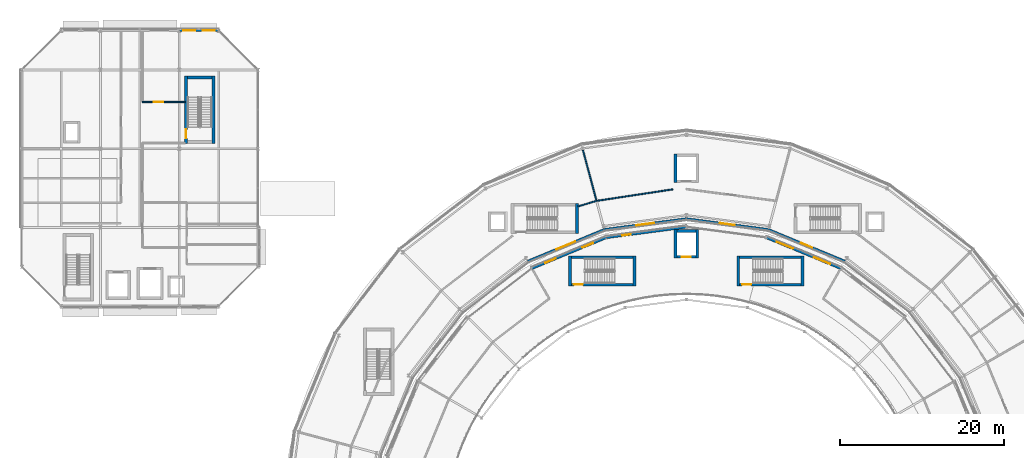
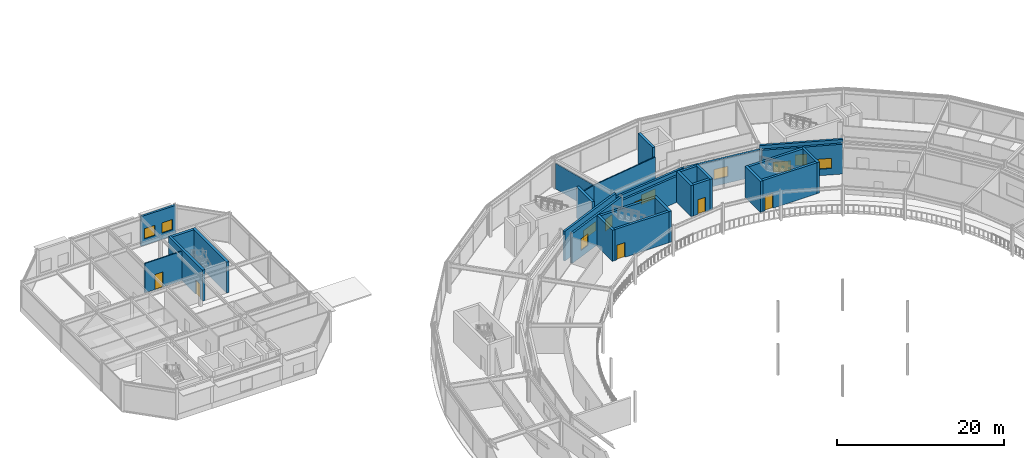
# One storey, part 105 of 133: 29 walls, 11 windows, 5 doors, 16 openings.
"""IFC4 building model written with IfcOpenShell, lengths in metres."""

from ifc_helpers import new_model, si_unit, direction, frame, frame_2d, origin, place, context, subcontext, project, spatial, rectangle, extrude, material, layer, layer_set, type_object, element, fill, save


model = new_model("IFC4")

# Units and contexts
model_context = context("Model", 3, precision=1e-05, world=origin(), true_north=direction((0.0, 1.0)))
body_context = subcontext(model_context, "Body", "Model", "MODEL_VIEW")
ifc_project = project(units=[si_unit("LENGTHUNIT", "METRE"), si_unit("AREAUNIT", "SQUARE_METRE"), si_unit("VOLUMEUNIT", "CUBIC_METRE"), si_unit("PLANEANGLEUNIT", "RADIAN"), si_unit("MASSUNIT", "GRAM", prefix="KILO")], contexts=[model_context])

# Site, building, storey
site_placement = place(None, origin())
site = spatial("IfcSite", under=ifc_project, at=site_placement, CompositionType="ELEMENT")
building_placement = place(site_placement, origin())
building = spatial("IfcBuilding", under=site, at=building_placement, Name="Almandine Court Research Institute", CompositionType="ELEMENT")
storey_placement = place(building_placement, frame((0.0, 0.0, 9.800048828125)))
storey = spatial("IfcBuildingStorey", under=building, at=storey_placement, Name="L02", CompositionType="ELEMENT", Elevation=9.800048828125)

# Wall, openings, windows
ifc_material_1 = material(Name="Insulated Ochre Terracotta Rainscreen Wall", Category="masonry")
ifc_layer_1 = layer(ifc_material_1, 0.2900390625)
ifc_layer_set_1 = layer_set([ifc_layer_1], Name="Insulated Ochre Terracotta Rainscreen Wall")
wall_type_1 = type_object("IfcWallType", Name="Wall-EXT-TERR-290", PredefinedType="SOLIDWALL", material=ifc_layer_set_1)
wall_1_placement = place(storey_placement, frame((25.2041015625, 117.60009765625, 0.0), z_axis=(0.0, 0.0, 1.0), x_axis=(1.0, 0.0, 0.0)))
wall_1 = element("IfcWall", 1, at=wall_1_placement, inside=storey, type_object=wall_type_1, Name="L02 Cleanroom North Wall 3", PredefinedType="SOLIDWALL", context=body_context, shape_type="SweptSolid", body=[
    extrude(rectangle(XDim=4.7919921875, YDim=0.2900390625, at=frame_2d((2.39599609375, 0.0))), origin(), (0.0, 0.0, 1.0), 4.369873046875),
])
opening_1_placement = place(wall_1_placement, frame((0.472900390625, 0.0, 0.949951171875)))
opening_1 = element("IfcOpeningElement", 2, at=opening_1_placement, cuts=wall_1, Name="Opening WN-28", PredefinedType="OPENING", context=body_context, shape_type="SweptSolid", body=[
    extrude(rectangle(XDim=1.449951171875, YDim=1.510009765625, at=frame_2d((0.72509765625, 0.7548828125))), frame((0.0, 0.155029296875, 0.0), z_axis=(0.0, -1.0, 0.0), x_axis=(1.0, 0.0, 0.0)), (0.0, 0.0, 1.0), 0.31005859375),
])
opening_2_placement = place(wall_1_placement, frame((2.868896484375, 0.0, 0.949951171875)))
opening_2 = element("IfcOpeningElement", 3, at=opening_2_placement, cuts=wall_1, Name="Opening WN-28", PredefinedType="OPENING", context=body_context, shape_type="SweptSolid", body=[
    extrude(rectangle(XDim=1.449951171875, YDim=1.510009765625, at=frame_2d((0.72509765625, 0.7548828125))), frame((0.0, 0.155029296875, 0.0), z_axis=(0.0, -1.0, 0.0), x_axis=(1.0, 0.0, 0.0)), (0.0, 0.0, 1.0), 0.31005859375),
])
ifc_material_2 = material(Name="Thermally Broken Low-E Double-Glazed Window", Category="glass")
window_type_1 = type_object("IfcWindowType", Name="Win-WN-28-1450x1510", PartitioningType="SINGLE_PANEL", PredefinedType="WINDOW", material=ifc_material_2)
window_1_placement = place(opening_1_placement, origin())
window_1 = element("IfcWindow", 4, at=window_1_placement, inside=storey, type_object=window_type_1, Name="L02 Modular Recessed Low-E Window 43", OverallHeight=1.510009765625, OverallWidth=1.449951171875, PartitioningType="SINGLE_PANEL", PredefinedType="WINDOW", context=body_context, shape_type="SweptSolid", body=[
    extrude(rectangle(XDim=1.449951171875, YDim=1.510009765625, at=frame_2d((0.72509765625, 0.7548828125))), frame((0.0, 0.030029296875, 0.0), z_axis=(0.0, -1.0, 0.0), x_axis=(1.0, 0.0, 0.0)), (0.0, 0.0, 1.0), 0.06005859375),
])
fill(opening_1, window_1)
window_2_placement = place(opening_2_placement, origin())
window_2 = element("IfcWindow", 5, at=window_2_placement, inside=storey, type_object=window_type_1, Name="L02 Modular Recessed Low-E Window 44", OverallHeight=1.510009765625, OverallWidth=1.449951171875, PartitioningType="SINGLE_PANEL", PredefinedType="WINDOW", context=body_context, shape_type="SweptSolid", body=[
    extrude(rectangle(XDim=1.449951171875, YDim=1.510009765625, at=frame_2d((0.72509765625, 0.7548828125))), frame((0.0, 0.030029296875, 0.0), z_axis=(0.0, -1.0, 0.0), x_axis=(1.0, 0.0, 0.0)), (0.0, 0.0, 1.0), 0.06005859375),
])
fill(opening_2, window_2)

# Wall, opening, window
wall_2_placement = place(storey_placement, frame((106.324951171875, 89.48291015625, 0.0), z_axis=(0.0, 0.0, 1.0), x_axis=(-0.92385889973, 0.382733240508, 0.0)))
wall_2 = element("IfcWall", 6, at=wall_2_placement, inside=storey, type_object=wall_type_1, Name="L02 Drum Inner Gallery Wall 04", PredefinedType="SOLIDWALL", context=body_context, shape_type="SweptSolid", body=[
    extrude(rectangle(XDim=10.08056640625, YDim=0.2900390625, at=frame_2d((5.040283203125, 0.0))), origin(), (0.0, 0.0, 1.0), 4.369873046875),
])
opening_3_placement = place(wall_2_placement, frame((4.294921875, 0.0, 0.949951171875)))
opening_3 = element("IfcOpeningElement", 7, at=opening_3_placement, cuts=wall_2, Name="Opening WN-38", PredefinedType="OPENING", context=body_context, shape_type="SweptSolid", body=[
    extrude(rectangle(XDim=1.489990234375, YDim=1.590087890625, at=frame_2d((0.7451171875, 0.794921875))), frame((0.0, 0.155029296875, 0.0), z_axis=(0.0, -1.0, 0.0), x_axis=(1.0, 0.0, 0.0)), (0.0, 0.0, 1.0), 0.31005859375),
])
window_type_2 = type_object("IfcWindowType", Name="Win-WN-38-1490x1590", PartitioningType="SINGLE_PANEL", PredefinedType="WINDOW", material=ifc_material_2)
window_3_placement = place(opening_3_placement, origin())
window_3 = element("IfcWindow", 8, at=window_3_placement, inside=storey, type_object=window_type_2, Name="L02 Modular Recessed Low-E Window 264", OverallHeight=1.590087890625, OverallWidth=1.489990234375, PartitioningType="SINGLE_PANEL", PredefinedType="WINDOW", context=body_context, shape_type="SweptSolid", body=[
    extrude(rectangle(XDim=1.489990234375, YDim=1.590087890625, at=frame_2d((0.7451171875, 0.794921875))), frame((0.0, 0.030029296875, 0.0), z_axis=(0.0, -1.0, 0.0), x_axis=(1.0, 0.0, 0.0)), (0.0, 0.0, 1.0), 0.06005859375),
])
fill(opening_3, window_3)

wall_3_placement = place(storey_placement, frame((97.0, 93.343994140625, 0.0), z_axis=(0.0, 0.0, 1.0), x_axis=(-0.991454872597, 0.130450126879, 0.0)))
wall_3 = element("IfcWall", 9, at=wall_3_placement, inside=storey, type_object=wall_type_1, Name="L02 Drum Inner Gallery Wall 05", PredefinedType="SOLIDWALL", context=body_context, shape_type="SweptSolid", body=[
    extrude(rectangle(XDim=10.080078125, YDim=0.2900390625, at=frame_2d((5.0400390625, 0.0))), origin(), (0.0, 0.0, 1.0), 3.73291015625),
])
opening_4_placement = place(wall_3_placement, frame((4.1298828125, 0.0, 0.949951171875)))
opening_4 = element("IfcOpeningElement", 10, at=opening_4_placement, cuts=wall_3, Name="Opening WN-39", PredefinedType="OPENING", context=body_context, shape_type="SweptSolid", body=[
    extrude(rectangle(XDim=1.820068359375, YDim=1.510009765625, at=frame_2d((0.91015625, 0.7548828125))), frame((0.0, 0.155029296875, 0.0), z_axis=(0.0, -1.0, 0.0), x_axis=(1.0, 0.0, 0.0)), (0.0, 0.0, 1.0), 0.31005859375),
])
window_type_3 = type_object("IfcWindowType", Name="Win-WN-39-1820x1510", PartitioningType="SINGLE_PANEL", PredefinedType="WINDOW", material=ifc_material_2)
window_4_placement = place(opening_4_placement, origin())
window_4 = element("IfcWindow", 11, at=window_4_placement, inside=storey, type_object=window_type_3, Name="L02 Modular Recessed Low-E Window 265", OverallHeight=1.510009765625, OverallWidth=1.820068359375, PartitioningType="SINGLE_PANEL", PredefinedType="WINDOW", context=body_context, shape_type="SweptSolid", body=[
    extrude(rectangle(XDim=1.820068359375, YDim=1.510009765625, at=frame_2d((0.91015625, 0.7548828125))), frame((0.0, 0.030029296875, 0.0), z_axis=(0.0, -1.0, 0.0), x_axis=(1.0, 0.0, 0.0)), (0.0, 0.0, 1.0), 0.06005859375),
])
fill(opening_4, window_4)

wall_4_placement = place(storey_placement, frame((86.993896484375, 94.658935546875, 0.0), z_axis=(0.0, 0.0, 1.0), x_axis=(-0.991454872597, -0.130450126879, 0.0)))
wall_4 = element("IfcWall", 12, at=wall_4_placement, inside=storey, type_object=wall_type_1, Name="L02 Drum Inner Gallery Wall 06", PredefinedType="SOLIDWALL", context=body_context, shape_type="SweptSolid", body=[
    extrude(rectangle(XDim=10.080078125, YDim=0.2900390625, at=frame_2d((5.0400390625, 0.0))), origin(), (0.0, 0.0, 1.0), 3.73291015625),
])
opening_5_placement = place(wall_4_placement, frame((3.965087890625, 0.0, 0.949951171875)))
opening_5 = element("IfcOpeningElement", 13, at=opening_5_placement, cuts=wall_4, Name="Opening WN-120", PredefinedType="OPENING", context=body_context, shape_type="SweptSolid", body=[
    extrude(rectangle(XDim=2.14990234375, YDim=1.429931640625, at=frame_2d((1.074951171875, 0.71484375))), frame((0.0, 0.155029296875, 0.0), z_axis=(0.0, -1.0, 0.0), x_axis=(1.0, 0.0, 0.0)), (0.0, 0.0, 1.0), 0.31005859375),
])
window_type_4 = type_object("IfcWindowType", Name="Win-WN-120-2150x1430", PartitioningType="SINGLE_PANEL", PredefinedType="WINDOW", material=ifc_material_2)
window_5_placement = place(opening_5_placement, origin())
window_5 = element("IfcWindow", 14, at=window_5_placement, inside=storey, type_object=window_type_4, Name="L02 Modular Recessed Low-E Window 266", OverallHeight=1.429931640625, OverallWidth=2.14990234375, PartitioningType="SINGLE_PANEL", PredefinedType="WINDOW", context=body_context, shape_type="SweptSolid", body=[
    extrude(rectangle(XDim=2.14990234375, YDim=1.429931640625, at=frame_2d((1.074951171875, 0.71484375))), frame((0.0, 0.030029296875, 0.0), z_axis=(0.0, -1.0, 0.0), x_axis=(1.0, 0.0, 0.0)), (0.0, 0.0, 1.0), 0.06005859375),
])
fill(opening_5, window_5)

wall_5_placement = place(storey_placement, frame((76.988037109375, 93.341064453125, 0.0), z_axis=(0.0, 0.0, 1.0), x_axis=(-0.92385889973, -0.382733240508, 0.0)))
wall_5 = element("IfcWall", 15, at=wall_5_placement, inside=storey, type_object=wall_type_1, Name="L02 Drum Inner Gallery Wall 07", PredefinedType="SOLIDWALL", context=body_context, shape_type="SweptSolid", body=[
    extrude(rectangle(XDim=10.08056640625, YDim=0.2900390625, at=frame_2d((5.040283203125, 0.0))), origin(), (0.0, 0.0, 1.0), 4.369873046875),
])
opening_6_placement = place(wall_5_placement, frame((3.800048828125, 0.0, 0.949951171875)))
opening_6 = element("IfcOpeningElement", 16, at=opening_6_placement, cuts=wall_5, Name="Opening WN-109", PredefinedType="OPENING", context=body_context, shape_type="SweptSolid", body=[
    extrude(rectangle(XDim=2.47998046875, YDim=1.35009765625, at=frame_2d((1.239990234375, 0.675048828125))), frame((0.0, 0.155029296875, 0.0), z_axis=(0.0, -1.0, 0.0), x_axis=(1.0, 0.0, 0.0)), (0.0, 0.0, 1.0), 0.31005859375),
])
window_type_5 = type_object("IfcWindowType", Name="Win-WN-109-2480x1350", PartitioningType="SINGLE_PANEL", PredefinedType="WINDOW", material=ifc_material_2)
window_6_placement = place(opening_6_placement, origin())
window_6 = element("IfcWindow", 17, at=window_6_placement, inside=storey, type_object=window_type_5, Name="L02 Modular Recessed Low-E Window 267", OverallHeight=1.35009765625, OverallWidth=2.47998046875, PartitioningType="SINGLE_PANEL", PredefinedType="WINDOW", context=body_context, shape_type="SweptSolid", body=[
    extrude(rectangle(XDim=2.47998046875, YDim=1.35009765625, at=frame_2d((1.239990234375, 0.675048828125))), frame((0.0, 0.030029296875, 0.0), z_axis=(0.0, -1.0, 0.0), x_axis=(1.0, 0.0, 0.0)), (0.0, 0.0, 1.0), 0.06005859375),
])
fill(opening_6, window_6)

# Wall, openings, windows
wall_6_placement = place(storey_placement, frame((96.748046875, 92.365966796875, 0.0), z_axis=(0.0, 0.0, 1.0), x_axis=(0.923848052238, -0.382759423628, 0.0)))
wall_6 = element("IfcWall", 18, at=wall_6_placement, inside=storey, type_object=wall_type_1, Name="L02 Interaction Atrium Perimeter Wall 04", PredefinedType="SOLIDWALL", context=body_context, shape_type="SweptSolid", body=[
    extrude(rectangle(XDim=9.82080078125, YDim=0.2900390625, at=frame_2d((4.910400390625, 0.0))), origin(), (0.0, 0.0, 1.0), 4.369873046875),
])
opening_7_placement = place(wall_6_placement, frame((1.3798828125, 0.0, 0.949951171875)))
opening_7 = element("IfcOpeningElement", 19, at=opening_7_placement, cuts=wall_6, Name="Opening WN-15", PredefinedType="OPENING", context=body_context, shape_type="SweptSolid", body=[
    extrude(rectangle(XDim=2.14990234375, YDim=1.47998046875, at=frame_2d((1.074951171875, 0.739990234375))), frame((0.0, 0.155029296875, 0.0), z_axis=(0.0, -1.0, 0.0), x_axis=(1.0, 0.0, 0.0)), (0.0, 0.0, 1.0), 0.31005859375),
])
opening_8_placement = place(wall_6_placement, frame((6.291015625, 0.0, 0.949951171875)))
opening_8 = element("IfcOpeningElement", 20, at=opening_8_placement, cuts=wall_6, Name="Opening WN-15", PredefinedType="OPENING", context=body_context, shape_type="SweptSolid", body=[
    extrude(rectangle(XDim=2.14990234375, YDim=1.47998046875, at=frame_2d((1.074951171875, 0.739990234375))), frame((0.0, 0.155029296875, 0.0), z_axis=(0.0, -1.0, 0.0), x_axis=(1.0, 0.0, 0.0)), (0.0, 0.0, 1.0), 0.31005859375),
])
window_type_6 = type_object("IfcWindowType", Name="Win-WN-15-2150x1480", PartitioningType="SINGLE_PANEL", PredefinedType="WINDOW", material=ifc_material_2)
window_7_placement = place(opening_7_placement, origin())
window_7 = element("IfcWindow", 21, at=window_7_placement, inside=storey, type_object=window_type_6, Name="L02 Modular Recessed Low-E Window 362", OverallHeight=1.47998046875, OverallWidth=2.14990234375, PartitioningType="SINGLE_PANEL", PredefinedType="WINDOW", context=body_context, shape_type="SweptSolid", body=[
    extrude(rectangle(XDim=2.14990234375, YDim=1.47998046875, at=frame_2d((1.074951171875, 0.739990234375))), frame((0.0, 0.030029296875, 0.0), z_axis=(0.0, -1.0, 0.0), x_axis=(1.0, 0.0, 0.0)), (0.0, 0.0, 1.0), 0.06005859375),
])
fill(opening_7, window_7)
window_8_placement = place(opening_8_placement, origin())
window_8 = element("IfcWindow", 22, at=window_8_placement, inside=storey, type_object=window_type_6, Name="L02 Modular Recessed Low-E Window 363", OverallHeight=1.47998046875, OverallWidth=2.14990234375, PartitioningType="SINGLE_PANEL", PredefinedType="WINDOW", context=body_context, shape_type="SweptSolid", body=[
    extrude(rectangle(XDim=2.14990234375, YDim=1.47998046875, at=frame_2d((1.074951171875, 0.739990234375))), frame((0.0, 0.030029296875, 0.0), z_axis=(0.0, -1.0, 0.0), x_axis=(1.0, 0.0, 0.0)), (0.0, 0.0, 1.0), 0.06005859375),
])
fill(opening_8, window_8)

# Wall, opening, window
wall_7_placement = place(storey_placement, frame((77.259033203125, 92.367919921875, 0.0), z_axis=(0.0, 0.0, 1.0), x_axis=(0.991456749128, 0.130435863969, 0.0)))
wall_7 = element("IfcWall", 23, at=wall_7_placement, inside=storey, type_object=wall_type_1, Name="L02 Interaction Atrium Perimeter Wall 06", PredefinedType="SOLIDWALL", context=body_context, shape_type="SweptSolid", body=[
    extrude(rectangle(XDim=9.821044921875, YDim=0.2900390625, at=frame_2d((4.91064453125, 0.0))), origin(), (0.0, 0.0, 1.0), 3.81396484375),
])
opening_9_placement = place(wall_7_placement, frame((1.929931640625, 0.0, 0.949951171875)))
opening_9 = element("IfcOpeningElement", 24, at=opening_9_placement, cuts=wall_7, Name="Opening WN-16", PredefinedType="OPENING", context=body_context, shape_type="SweptSolid", body=[
    extrude(rectangle(XDim=1.050048828125, YDim=1.800048828125, at=frame_2d((0.52490234375, 0.89990234375))), frame((0.0, 0.155029296875, 0.0), z_axis=(0.0, -1.0, 0.0), x_axis=(1.0, 0.0, 0.0)), (0.0, 0.0, 1.0), 0.31005859375),
])
window_type_7 = type_object("IfcWindowType", Name="Win-WN-16-1050x1800", PartitioningType="SINGLE_PANEL", PredefinedType="WINDOW", material=ifc_material_2)
window_9_placement = place(opening_9_placement, origin())
window_9 = element("IfcWindow", 25, at=window_9_placement, inside=storey, type_object=window_type_7, Name="L02 Modular Recessed Low-E Window 364", OverallHeight=1.800048828125, OverallWidth=1.050048828125, PartitioningType="SINGLE_PANEL", PredefinedType="WINDOW", context=body_context, shape_type="SweptSolid", body=[
    extrude(rectangle(XDim=1.050048828125, YDim=1.800048828125, at=frame_2d((0.52490234375, 0.89990234375))), frame((0.0, 0.030029296875, 0.0), z_axis=(0.0, -1.0, 0.0), x_axis=(1.0, 0.0, 0.0)), (0.0, 0.0, 1.0), 0.06005859375),
])
fill(opening_9, window_9)

# Wall, openings, windows
wall_8_placement = place(storey_placement, frame((68.178955078125, 88.60693359375, 0.0), z_axis=(0.0, 0.0, 1.0), x_axis=(0.923848052238, 0.382759423628, 0.0)))
wall_8 = element("IfcWall", 26, at=wall_8_placement, inside=storey, type_object=wall_type_1, Name="L02 Interaction Atrium Perimeter Wall 07", PredefinedType="SOLIDWALL", context=body_context, shape_type="SweptSolid", body=[
    extrude(rectangle(XDim=9.82080078125, YDim=0.2900390625, at=frame_2d((4.910400390625, 0.0))), origin(), (0.0, 0.0, 1.0), 4.369873046875),
])
opening_10_placement = place(wall_8_placement, frame((1.764892578125, 0.0, 0.949951171875)))
opening_10 = element("IfcOpeningElement", 27, at=opening_10_placement, cuts=wall_8, Name="Opening WN-17", PredefinedType="OPENING", context=body_context, shape_type="SweptSolid", body=[
    extrude(rectangle(XDim=1.3798828125, YDim=1.719970703125, at=frame_2d((0.68994140625, 0.85986328125))), frame((0.0, 0.155029296875, 0.0), z_axis=(0.0, -1.0, 0.0), x_axis=(1.0, 0.0, 0.0)), (0.0, 0.0, 1.0), 0.31005859375),
])
opening_11_placement = place(wall_8_placement, frame((6.676025390625, 0.0, 0.949951171875)))
opening_11 = element("IfcOpeningElement", 28, at=opening_11_placement, cuts=wall_8, Name="Opening WN-17", PredefinedType="OPENING", context=body_context, shape_type="SweptSolid", body=[
    extrude(rectangle(XDim=1.3798828125, YDim=1.719970703125, at=frame_2d((0.68994140625, 0.85986328125))), frame((0.0, 0.155029296875, 0.0), z_axis=(0.0, -1.0, 0.0), x_axis=(1.0, 0.0, 0.0)), (0.0, 0.0, 1.0), 0.31005859375),
])
window_type_8 = type_object("IfcWindowType", Name="Win-WN-17-1380x1720", PartitioningType="SINGLE_PANEL", PredefinedType="WINDOW", material=ifc_material_2)
window_10_placement = place(opening_10_placement, origin())
window_10 = element("IfcWindow", 29, at=window_10_placement, inside=storey, type_object=window_type_8, Name="L02 Modular Recessed Low-E Window 365", OverallHeight=1.719970703125, OverallWidth=1.3798828125, PartitioningType="SINGLE_PANEL", PredefinedType="WINDOW", context=body_context, shape_type="SweptSolid", body=[
    extrude(rectangle(XDim=1.3798828125, YDim=1.719970703125, at=frame_2d((0.68994140625, 0.85986328125))), frame((0.0, 0.030029296875, 0.0), z_axis=(0.0, -1.0, 0.0), x_axis=(1.0, 0.0, 0.0)), (0.0, 0.0, 1.0), 0.06005859375),
])
fill(opening_10, window_10)
window_11_placement = place(opening_11_placement, origin())
window_11 = element("IfcWindow", 30, at=window_11_placement, inside=storey, type_object=window_type_8, Name="L02 Modular Recessed Low-E Window 366", OverallHeight=1.719970703125, OverallWidth=1.3798828125, PartitioningType="SINGLE_PANEL", PredefinedType="WINDOW", context=body_context, shape_type="SweptSolid", body=[
    extrude(rectangle(XDim=1.3798828125, YDim=1.719970703125, at=frame_2d((0.68994140625, 0.85986328125))), frame((0.0, 0.030029296875, 0.0), z_axis=(0.0, -1.0, 0.0), x_axis=(1.0, 0.0, 0.0)), (0.0, 0.0, 1.0), 0.06005859375),
])
fill(opening_11, window_11)

# Wall, opening, door
ifc_material_3 = material(Name="Acoustic Steel-Stud Gypsum Partition Wall", Category="steel")
ifc_layer_2 = layer(ifc_material_3, 0.14990234375)
ifc_layer_set_2 = layer_set([ifc_layer_2], Name="Acoustic Steel-Stud Gypsum Partition Wall")
wall_type_2 = type_object("IfcWallType", Name="Wall-PART-150", PredefinedType="PARTITIONING", material=ifc_layer_set_2)
wall_9_placement = place(storey_placement, frame((20.719970703125, 108.89990234375, 0.0), z_axis=(0.0, 0.0, 1.0), x_axis=(1.0, 0.0, 0.0)))
wall_9 = element("IfcWall", 31, at=wall_9_placement, inside=storey, type_object=wall_type_2, Name="L02 Interior Partition W-V3-L02-CAL", PredefinedType="PARTITIONING", context=body_context, shape_type="SweptSolid", body=[
    extrude(rectangle(XDim=5.199951171875, YDim=0.14990234375, at=frame_2d((2.60009765625, 0.0))), origin(), (0.0, 0.0, 1.0), 4.300048828125),
])
opening_12_placement = place(wall_9_placement, frame((1.39990234375, 0.0, 0.0)))
opening_12 = element("IfcOpeningElement", 32, at=opening_12_placement, cuts=wall_9, Name="Opening D-03", PredefinedType="OPENING", context=body_context, shape_type="SweptSolid", body=[
    extrude(rectangle(XDim=1.10009765625, YDim=2.199951171875, at=frame_2d((0.550048828125, 1.10009765625))), frame((0.0, 0.0849609375, 0.0), z_axis=(0.0, -1.0, 0.0), x_axis=(1.0, 0.0, 0.0)), (0.0, 0.0, 1.0), 0.169921875),
])
ifc_material_4 = material(Name="Acoustic Vision-Panel Seminar Door")
door_type_1 = type_object("IfcDoorType", Name="Door-INT-1100", OperationType="NOTDEFINED", PredefinedType="DOOR", material=ifc_material_4)
door_1_placement = place(opening_12_placement, origin())
door_1 = element("IfcDoor", 33, at=door_1_placement, inside=storey, type_object=door_type_1, Name="L02 Calibration Suite Door", OperationType="SINGLE_SWING_LEFT", OverallHeight=2.199951171875, OverallWidth=1.10009765625, PredefinedType="DOOR", context=body_context, shape_type="SweptSolid", body=[
    extrude(rectangle(XDim=1.10009765625, YDim=2.199951171875, at=frame_2d((0.550048828125, 1.10009765625))), frame((0.0, 0.02490234375, 0.0), z_axis=(0.0, -1.0, 0.0), x_axis=(1.0, 0.0, 0.0)), (0.0, 0.0, 1.0), 0.050048828125),
])
fill(opening_12, door_1)

# Walls
wall_10_placement = place(storey_placement, frame((85.376953125, 98.2490234375, 0.0), z_axis=(0.0, 0.0, 1.0), x_axis=(-0.988750352389, -0.149575200656, 0.0)))
element("IfcWall", 34, at=wall_10_placement, inside=storey, type_object=wall_type_2, Name="L02 Interior Partition W-V5-L02-CHD-06", PredefinedType="PARTITIONING", context=body_context, shape_type="SweptSolid", body=[
    extrude(rectangle(XDim=9.426025390625, YDim=0.14990234375, at=frame_2d((4.712890625, 0.0))), origin(), (0.0, 0.0, 1.0), 3.737060546875),
])
wall_11_placement = place(storey_placement, frame((76.056884765625, 96.839111328125, 0.0), z_axis=(0.0, 0.0, 1.0), x_axis=(-0.95838508169, -0.285478607244, 0.0)))
element("IfcWall", 35, at=wall_11_placement, inside=storey, type_object=wall_type_2, Name="L02 Interior Partition W-V5-L02-CHD-07", PredefinedType="PARTITIONING", context=body_context, shape_type="SweptSolid", body=[
    extrude(rectangle(XDim=2.361083984375, YDim=0.14990234375, at=frame_2d((1.1806640625, 0.0))), origin(), (0.0, 0.0, 1.0), 3.737060546875),
])
wall_12_placement = place(storey_placement, frame((76.056884765625, 96.839111328125, 0.0), z_axis=(0.0, 0.0, 1.0), x_axis=(-0.258832719409, 0.965922162166, 0.0)))
element("IfcWall", 36, at=wall_12_placement, inside=storey, type_object=wall_type_2, Name="L02 Interior Partition W-V5-L02-RAD-07", PredefinedType="PARTITIONING", context=body_context, shape_type="SweptSolid", body=[
    extrude(rectangle(XDim=6.4404296875, YDim=0.14990234375, at=frame_2d((3.22021484375, 0.0))), origin(), (0.0, 0.0, 1.0), 3.737060546875),
])
ifc_material_5 = material(Name="Concrete C40/50", Category="concrete")
ifc_layer_3 = layer(ifc_material_5, 0.35009765625)
ifc_layer_set_3 = layer_set([ifc_layer_3], Name="Concrete C40/50")
wall_type_3 = type_object("IfcWallType", Name="Wall-SW-CORE-350", PredefinedType="SHEAR", material=ifc_layer_set_3)
wall_13_placement = place(storey_placement, frame((93.324951171875, 86.449951171875, 0.0), z_axis=(0.0, 0.0, 1.0), x_axis=(0.0, 1.0, 0.0)))
element("IfcWall", 37, at=wall_13_placement, inside=storey, type_object=wall_type_3, Name="L02 ST-03 W Shear Wall", PredefinedType="SHEAR", context=body_context, shape_type="SweptSolid", body=[
    extrude(rectangle(XDim=3.699951171875, YDim=0.35009765625, at=frame_2d((1.85009765625, 0.0))), origin(), (0.0, 0.0, 1.0), 4.550048828125),
])
wall_14_placement = place(storey_placement, frame((93.5, 89.97509765625, 0.0), z_axis=(0.0, 0.0, 1.0), x_axis=(1.0, 0.0, 0.0)))
element("IfcWall", 38, at=wall_14_placement, inside=storey, type_object=wall_type_3, Name="L02 ST-03 N Shear Wall", PredefinedType="SHEAR", context=body_context, shape_type="SweptSolid", body=[
    extrude(rectangle(XDim=7.5, YDim=0.35009765625, at=frame_2d((3.75, 0.0))), origin(), (0.0, 0.0, 1.0), 4.550048828125),
])
wall_15_placement = place(storey_placement, frame((101.175048828125, 90.14990234375, 0.0), z_axis=(0.0, 0.0, 1.0), x_axis=(0.0, -1.0, 0.0)))
element("IfcWall", 39, at=wall_15_placement, inside=storey, type_object=wall_type_3, Name="L02 ST-03 E Shear Wall", PredefinedType="SHEAR", context=body_context, shape_type="SweptSolid", body=[
    extrude(rectangle(XDim=3.699951171875, YDim=0.35009765625, at=frame_2d((1.85009765625, 0.0))), origin(), (0.0, 0.0, 1.0), 4.550048828125),
])

# Wall, opening, door
wall_16_placement = place(storey_placement, frame((101.0, 86.625, 0.0), z_axis=(0.0, 0.0, 1.0), x_axis=(-1.0, 0.0, 0.0)))
wall_16 = element("IfcWall", 40, at=wall_16_placement, inside=storey, type_object=wall_type_3, Name="L02 ST-03 S Shear Wall", PredefinedType="SHEAR", context=body_context, shape_type="SweptSolid", body=[
    extrude(rectangle(XDim=7.5, YDim=0.35009765625, at=frame_2d((3.75, 0.0))), origin(), (0.0, 0.0, 1.0), 4.550048828125),
])
opening_13_placement = place(wall_16_placement, frame((6.10009765625, 0.0, 0.0)))
opening_13 = element("IfcOpeningElement", 41, at=opening_13_placement, cuts=wall_16, Name="Opening FD-STAIR", PredefinedType="OPENING", context=body_context, shape_type="SweptSolid", body=[
    extrude(rectangle(XDim=1.10009765625, YDim=2.14990234375, at=frame_2d((0.550048828125, 1.074951171875))), frame((0.0, 0.18505859375, 0.0), z_axis=(0.0, -1.0, 0.0), x_axis=(1.0, 0.0, 0.0)), (0.0, 0.0, 1.0), 0.3701171875),
])
ifc_material_6 = material(Name="Self-Closing Steel Exit Stair Fire Door", Category="steel")
door_type_2 = type_object("IfcDoorType", Name="Door-FD-STAIR-1100", OperationType="NOTDEFINED", PredefinedType="DOOR", material=ifc_material_6)
door_2_placement = place(opening_13_placement, origin())
door_2 = element("IfcDoor", 42, at=door_2_placement, inside=storey, type_object=door_type_2, Name="L02 Exit Stair ST-03 Fire Door", OperationType="SINGLE_SWING_RIGHT", OverallHeight=2.14990234375, OverallWidth=1.10009765625, PredefinedType="DOOR", context=body_context, shape_type="SweptSolid", body=[
    extrude(rectangle(XDim=1.10009765625, YDim=2.14990234375, at=frame_2d((0.550048828125, 1.074951171875))), frame((0.0, 0.02490234375, 0.0), z_axis=(0.0, -1.0, 0.0), x_axis=(1.0, 0.0, 0.0)), (0.0, 0.0, 1.0), 0.050048828125),
])
fill(opening_13, door_2)

# Walls
wall_17_placement = place(storey_placement, frame((72.824951171875, 86.449951171875, 0.0), z_axis=(0.0, 0.0, 1.0), x_axis=(0.0, 1.0, 0.0)))
element("IfcWall", 43, at=wall_17_placement, inside=storey, type_object=wall_type_3, Name="L02 ST-04 W Shear Wall", PredefinedType="SHEAR", context=body_context, shape_type="SweptSolid", body=[
    extrude(rectangle(XDim=3.699951171875, YDim=0.35009765625, at=frame_2d((1.85009765625, 0.0))), origin(), (0.0, 0.0, 1.0), 4.550048828125),
])
wall_18_placement = place(storey_placement, frame((73.0, 89.97509765625, 0.0), z_axis=(0.0, 0.0, 1.0), x_axis=(1.0, 0.0, 0.0)))
element("IfcWall", 44, at=wall_18_placement, inside=storey, type_object=wall_type_3, Name="L02 ST-04 N Shear Wall", PredefinedType="SHEAR", context=body_context, shape_type="SweptSolid", body=[
    extrude(rectangle(XDim=7.5, YDim=0.35009765625, at=frame_2d((3.75, 0.0))), origin(), (0.0, 0.0, 1.0), 4.550048828125),
])
wall_19_placement = place(storey_placement, frame((80.675048828125, 90.14990234375, 0.0), z_axis=(0.0, 0.0, 1.0), x_axis=(0.0, -1.0, 0.0)))
element("IfcWall", 45, at=wall_19_placement, inside=storey, type_object=wall_type_3, Name="L02 ST-04 E Shear Wall", PredefinedType="SHEAR", context=body_context, shape_type="SweptSolid", body=[
    extrude(rectangle(XDim=3.699951171875, YDim=0.35009765625, at=frame_2d((1.85009765625, 0.0))), origin(), (0.0, 0.0, 1.0), 4.550048828125),
])

# Wall, opening, door
wall_20_placement = place(storey_placement, frame((80.5, 86.625, 0.0), z_axis=(0.0, 0.0, 1.0), x_axis=(-1.0, 0.0, 0.0)))
wall_20 = element("IfcWall", 46, at=wall_20_placement, inside=storey, type_object=wall_type_3, Name="L02 ST-04 S Shear Wall", PredefinedType="SHEAR", context=body_context, shape_type="SweptSolid", body=[
    extrude(rectangle(XDim=7.5, YDim=0.35009765625, at=frame_2d((3.75, 0.0))), origin(), (0.0, 0.0, 1.0), 4.550048828125),
])
opening_14_placement = place(wall_20_placement, frame((6.10009765625, 0.0, 0.0)))
opening_14 = element("IfcOpeningElement", 47, at=opening_14_placement, cuts=wall_20, Name="Opening FD-STAIR", PredefinedType="OPENING", context=body_context, shape_type="SweptSolid", body=[
    extrude(rectangle(XDim=1.10009765625, YDim=2.14990234375, at=frame_2d((0.550048828125, 1.074951171875))), frame((0.0, 0.18505859375, 0.0), z_axis=(0.0, -1.0, 0.0), x_axis=(1.0, 0.0, 0.0)), (0.0, 0.0, 1.0), 0.3701171875),
])
door_3_placement = place(opening_14_placement, origin())
door_3 = element("IfcDoor", 48, at=door_3_placement, inside=storey, type_object=door_type_2, Name="L02 Exit Stair ST-04 Fire Door", OperationType="SINGLE_SWING_RIGHT", OverallHeight=2.14990234375, OverallWidth=1.10009765625, PredefinedType="DOOR", context=body_context, shape_type="SweptSolid", body=[
    extrude(rectangle(XDim=1.10009765625, YDim=2.14990234375, at=frame_2d((0.550048828125, 1.074951171875))), frame((0.0, 0.02490234375, 0.0), z_axis=(0.0, -1.0, 0.0), x_axis=(1.0, 0.0, 0.0)), (0.0, 0.0, 1.0), 0.050048828125),
])
fill(opening_14, door_3)

wall_21_placement = place(storey_placement, frame((26.02490234375, 103.85009765625, 0.0), z_axis=(0.0, 0.0, 1.0), x_axis=(0.0, 1.0, 0.0)))
wall_21 = element("IfcWall", 49, at=wall_21_placement, inside=storey, type_object=wall_type_3, Name="L02 ST-06 W Shear Wall", PredefinedType="SHEAR", context=body_context, shape_type="SweptSolid", body=[
    extrude(rectangle(XDim=8.199951171875, YDim=0.35009765625, at=frame_2d((4.10009765625, 0.0))), origin(), (0.0, 0.0, 1.0), 4.550048828125),
])
opening_15_placement = place(wall_21_placement, frame((0.60009765625, 0.0, 0.0)))
opening_15 = element("IfcOpeningElement", 50, at=opening_15_placement, cuts=wall_21, Name="Opening FD-STAIR", PredefinedType="OPENING", context=body_context, shape_type="SweptSolid", body=[
    extrude(rectangle(XDim=1.10009765625, YDim=2.14990234375, at=frame_2d((0.550048828125, 1.074951171875))), frame((0.0, 0.18505859375, 0.0), z_axis=(0.0, -1.0, 0.0), x_axis=(1.0, 0.0, 0.0)), (0.0, 0.0, 1.0), 0.3701171875),
])
door_4_placement = place(opening_15_placement, origin())
door_4 = element("IfcDoor", 51, at=door_4_placement, inside=storey, type_object=door_type_2, Name="L02 Exit Stair ST-06 Fire Door", OperationType="SINGLE_SWING_LEFT", OverallHeight=2.14990234375, OverallWidth=1.10009765625, PredefinedType="DOOR", context=body_context, shape_type="SweptSolid", body=[
    extrude(rectangle(XDim=1.10009765625, YDim=2.14990234375, at=frame_2d((0.550048828125, 1.074951171875))), frame((0.0, 0.02490234375, 0.0), z_axis=(0.0, -1.0, 0.0), x_axis=(1.0, 0.0, 0.0)), (0.0, 0.0, 1.0), 0.050048828125),
])
fill(opening_15, door_4)

# Walls
wall_22_placement = place(storey_placement, frame((26.199951171875, 111.875, 0.0), z_axis=(0.0, 0.0, 1.0), x_axis=(1.0, 0.0, 0.0)))
element("IfcWall", 52, at=wall_22_placement, inside=storey, type_object=wall_type_3, Name="L02 ST-06 N Shear Wall", PredefinedType="SHEAR", context=body_context, shape_type="SweptSolid", body=[
    extrude(rectangle(XDim=3.0, YDim=0.35009765625, at=frame_2d((1.5, 0.0))), origin(), (0.0, 0.0, 1.0), 4.550048828125),
])
wall_23_placement = place(storey_placement, frame((29.375, 112.050048828125, 0.0), z_axis=(0.0, 0.0, 1.0), x_axis=(0.0, -1.0, 0.0)))
element("IfcWall", 53, at=wall_23_placement, inside=storey, type_object=wall_type_3, Name="L02 ST-06 E Shear Wall", PredefinedType="SHEAR", context=body_context, shape_type="SweptSolid", body=[
    extrude(rectangle(XDim=8.199951171875, YDim=0.35009765625, at=frame_2d((4.10009765625, 0.0))), origin(), (0.0, 0.0, 1.0), 4.550048828125),
])
wall_24_placement = place(storey_placement, frame((73.675048828125, 96.550048828125, 0.0), z_axis=(0.0, 0.0, 1.0), x_axis=(0.0, -1.0, 0.0)))
element("IfcWall", 54, at=wall_24_placement, inside=storey, type_object=wall_type_3, Name="L02 ST-10 E Shear Wall", PredefinedType="SHEAR", context=body_context, shape_type="SweptSolid", body=[
    extrude(rectangle(XDim=3.699951171875, YDim=0.35009765625, at=frame_2d((1.85009765625, 0.0))), origin(), (0.0, 0.0, 1.0), 4.550048828125),
])
wall_25_placement = place(storey_placement, frame((85.675048828125, 89.85009765625, 0.0), z_axis=(0.0, 0.0, 1.0), x_axis=(0.0, 1.0, 0.0)))
element("IfcWall", 55, at=wall_25_placement, inside=storey, type_object=wall_type_3, Name="L02 PL-03 Hoistway W Shear Wall", PredefinedType="SHEAR", context=body_context, shape_type="SweptSolid", body=[
    extrude(rectangle(XDim=3.5, YDim=0.35009765625, at=frame_2d((1.75, 0.0))), origin(), (0.0, 0.0, 1.0), 4.550048828125),
])
wall_26_placement = place(storey_placement, frame((85.85009765625, 93.175048828125, 0.0), z_axis=(0.0, 0.0, 1.0), x_axis=(1.0, 0.0, 0.0)))
element("IfcWall", 56, at=wall_26_placement, inside=storey, type_object=wall_type_3, Name="L02 PL-03 Hoistway N Shear Wall", PredefinedType="SHEAR", context=body_context, shape_type="SweptSolid", body=[
    extrude(rectangle(XDim=2.2998046875, YDim=0.35009765625, at=frame_2d((1.14990234375, 0.0))), origin(), (0.0, 0.0, 1.0), 4.550048828125),
])
wall_27_placement = place(storey_placement, frame((88.324951171875, 93.35009765625, 0.0), z_axis=(0.0, 0.0, 1.0), x_axis=(0.0, -1.0, 0.0)))
element("IfcWall", 57, at=wall_27_placement, inside=storey, type_object=wall_type_3, Name="L02 PL-03 Hoistway E Shear Wall", PredefinedType="SHEAR", context=body_context, shape_type="SweptSolid", body=[
    extrude(rectangle(XDim=3.5, YDim=0.35009765625, at=frame_2d((1.75, 0.0))), origin(), (0.0, 0.0, 1.0), 4.550048828125),
])

# Wall, opening, door
wall_28_placement = place(storey_placement, frame((88.14990234375, 90.02490234375, 0.0), z_axis=(0.0, 0.0, 1.0), x_axis=(-1.0, 0.0, 0.0)))
wall_28 = element("IfcWall", 58, at=wall_28_placement, inside=storey, type_object=wall_type_3, Name="L02 PL-03 Hoistway S Shear Wall", PredefinedType="SHEAR", context=body_context, shape_type="SweptSolid", body=[
    extrude(rectangle(XDim=2.2998046875, YDim=0.35009765625, at=frame_2d((1.14990234375, 0.0))), origin(), (0.0, 0.0, 1.0), 4.550048828125),
])
opening_16_placement = place(wall_28_placement, frame((0.60009765625, 0.0, 0.0)))
opening_16 = element("IfcOpeningElement", 59, at=opening_16_placement, cuts=wall_28, Name="Opening LD-01", PredefinedType="OPENING", context=body_context, shape_type="SweptSolid", body=[
    extrude(rectangle(XDim=1.10009765625, YDim=2.14990234375, at=frame_2d((0.550048828125, 1.074951171875))), frame((0.0, 0.18505859375, 0.0), z_axis=(0.0, -1.0, 0.0), x_axis=(1.0, 0.0, 0.0)), (0.0, 0.0, 1.0), 0.3701171875),
])
ifc_material_7 = material(Name="Stainless Steel Lift Landing Sliding Door", Category="steel")
door_type_3 = type_object("IfcDoorType", Name="Door-LD-PASS-1100", OperationType="SLIDING_TO_LEFT", PredefinedType="USERDEFINED", material=ifc_material_7)
door_5_placement = place(opening_16_placement, origin())
door_5 = element("IfcDoor", 60, at=door_5_placement, inside=storey, type_object=door_type_3, Name="L02 Interaction Atrium Passenger Lift PL-03 Sliding Landing Door", ObjectType="LANDING DOOR", OperationType="SLIDING_TO_LEFT", OverallHeight=2.14990234375, OverallWidth=1.10009765625, PredefinedType="USERDEFINED", context=body_context, shape_type="SweptSolid", body=[
    extrude(rectangle(XDim=1.10009765625, YDim=2.14990234375, at=frame_2d((0.550048828125, 1.074951171875))), frame((0.0, 0.02490234375, 0.0), z_axis=(0.0, -1.0, 0.0), x_axis=(1.0, 0.0, 0.0)), (0.0, 0.0, 1.0), 0.050048828125),
])
fill(opening_16, door_5)

# Wall
wall_29_placement = place(storey_placement, frame((85.675048828125, 99.050048828125, 0.0), z_axis=(0.0, 0.0, 1.0), x_axis=(0.0, 1.0, 0.0)))
element("IfcWall", 61, at=wall_29_placement, inside=storey, type_object=wall_type_3, Name="L02 PL-04 Hoistway W Shear Wall", PredefinedType="SHEAR", context=body_context, shape_type="SweptSolid", body=[
    extrude(rectangle(XDim=3.5, YDim=0.35009765625, at=frame_2d((1.75, 0.0))), origin(), (0.0, 0.0, 1.0), 4.550048828125),
])

save(model, "model.ifc")
